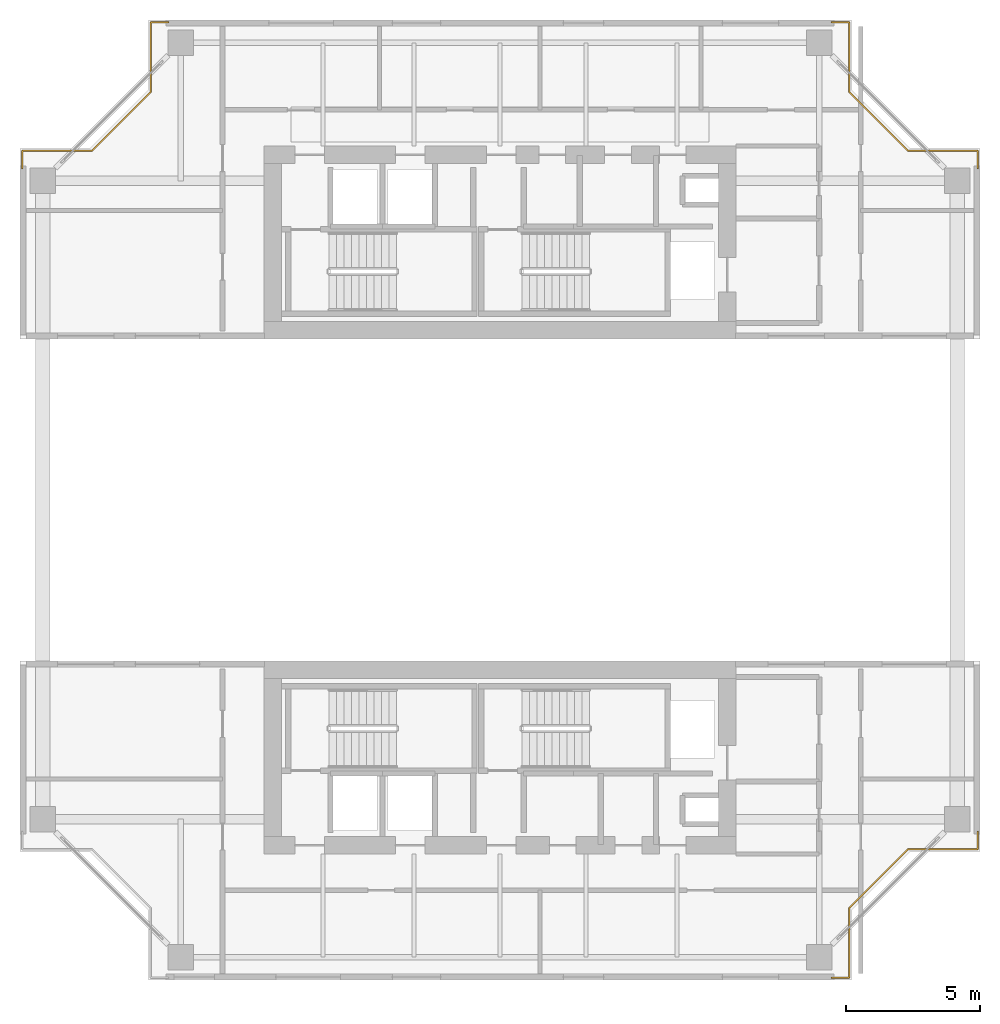
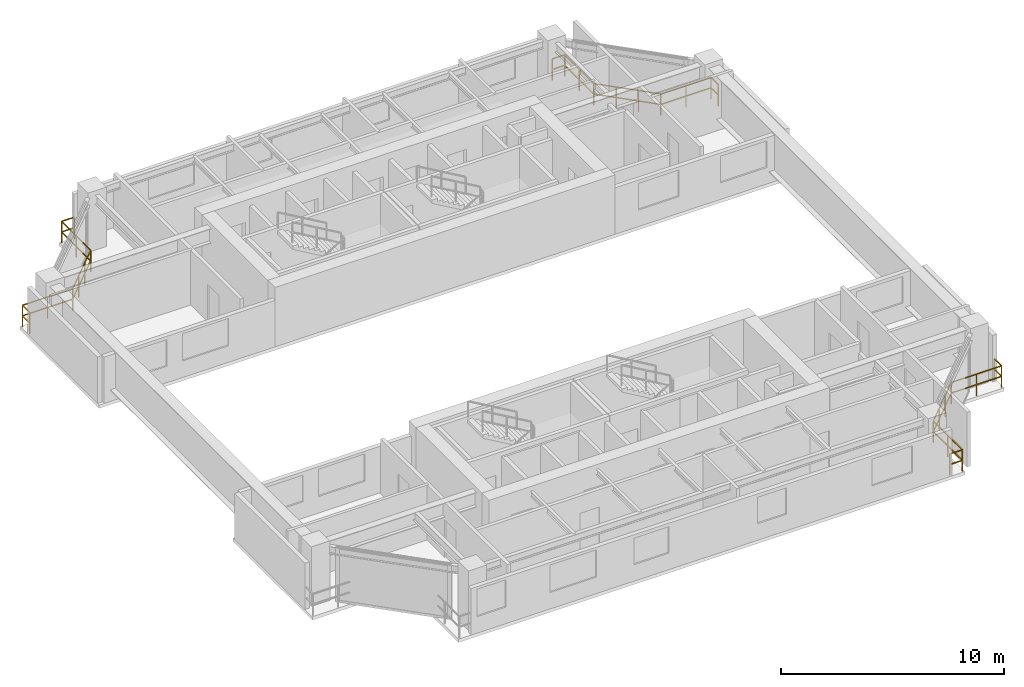
# One storey, part 12 of 12: 3 railings.
"""IFC4 building model written with IfcOpenShell, lengths in metres."""

from ifc_helpers import new_model, si_unit, direction, frame, origin, origin_2d, place, context, subcontext, project, spatial, rectangle, extrude, material, type_object, element, save


model = new_model("IFC4")

# Units and contexts
model_context = context("Model", 3, precision=1e-05, world=origin(), true_north=direction((0.0, 1.0)))
body_context = subcontext(model_context, "Body", "Model", "MODEL_VIEW")
ifc_project = project(units=[si_unit("LENGTHUNIT", "METRE"), si_unit("AREAUNIT", "SQUARE_METRE"), si_unit("VOLUMEUNIT", "CUBIC_METRE"), si_unit("PLANEANGLEUNIT", "RADIAN"), si_unit("MASSUNIT", "GRAM", prefix="KILO"), si_unit("THERMODYNAMICTEMPERATUREUNIT", "KELVIN"), si_unit("POWERUNIT", "WATT")], contexts=[model_context])

# Site, building, storey
site_placement = place(None, origin())
site = spatial("IfcSite", under=ifc_project, at=site_placement, CompositionType="ELEMENT")
building_placement = place(site_placement, origin())
building = spatial("IfcBuilding", under=site, at=building_placement, Name="Qiaomeng Ring Towers", CompositionType="ELEMENT")
storey_placement = place(building_placement, frame((0.0, 0.0, 169.75)))
storey = spatial("IfcBuildingStorey", under=building, at=storey_placement, Name="L49", CompositionType="ELEMENT", Elevation=169.75)

# Railings
ifc_material = material(Name="Low-E pale-green laminated safety glass", Category="glass")
railing_type = type_object("IfcRailingType", Name="ARC-RL-BAL1", PredefinedType="BALUSTRADE", material=ifc_material)
railing_1_placement = place(storey_placement, frame((31.3701171875, 5.179931640625, 0.0)))
element("IfcRailing", 1, at=railing_1_placement, inside=storey, type_object=railing_type, Name="L49 Balustrade ARC-BAL-NOTCH1-L49-SE", PredefinedType="BALUSTRADE", context=body_context, shape_type="SweptSolid", body=[
    extrude(rectangle(XDim=0.048095703125, YDim=0.048095703125, at=origin_2d()), frame((0.0, 0.0, 1.17578125), z_axis=(1.0, 0.0, 0.0), x_axis=(0.0, 1.0, 0.0)), (0.0, 0.0, 1.0), 0.64990234375),
    extrude(rectangle(XDim=0.048095703125, YDim=0.048095703125, at=origin_2d()), frame((0.0, 0.0, 0.60009765625), z_axis=(1.0, 0.0, 0.0), x_axis=(0.0, 1.0, 0.0)), (0.0, 0.0, 1.0), 0.64990234375),
    extrude(rectangle(XDim=0.048095703125, YDim=0.048095703125, at=origin_2d()), frame((0.64990234375, 0.0, 1.17578125), z_axis=(0.0, 1.0, 0.0), x_axis=(-1.0, 0.0, 0.0)), (0.0, 0.0, 1.0), 2.60009765625),
    extrude(rectangle(XDim=0.048095703125, YDim=0.048095703125, at=origin_2d()), frame((0.64990234375, 0.0, 0.60009765625), z_axis=(0.0, 1.0, 0.0), x_axis=(-1.0, 0.0, 0.0)), (0.0, 0.0, 1.0), 2.60009765625),
    extrude(rectangle(XDim=0.048095703125, YDim=0.048095703125, at=origin_2d()), frame((0.64990234375, 2.60009765625, 1.17578125), z_axis=(0.707106781187, 0.707106781187, 0.0), x_axis=(-0.707106781187, 0.707106781187, 0.0)), (0.0, 0.0, 1.0), 3.111083984375),
    extrude(rectangle(XDim=0.048095703125, YDim=0.048095703125, at=origin_2d()), frame((0.64990234375, 2.60009765625, 0.60009765625), z_axis=(0.707106781187, 0.707106781187, 0.0), x_axis=(-0.707106781187, 0.707106781187, 0.0)), (0.0, 0.0, 1.0), 3.111083984375),
    extrude(rectangle(XDim=0.048095703125, YDim=0.048095703125, at=origin_2d()), frame((2.849853515625, 4.800048828125, 1.17578125), z_axis=(1.0, 0.0, 0.0), x_axis=(0.0, 1.0, 0.0)), (0.0, 0.0, 1.0), 2.60009765625),
    extrude(rectangle(XDim=0.048095703125, YDim=0.048095703125, at=origin_2d()), frame((2.849853515625, 4.800048828125, 0.60009765625), z_axis=(1.0, 0.0, 0.0), x_axis=(0.0, 1.0, 0.0)), (0.0, 0.0, 1.0), 2.60009765625),
    extrude(rectangle(XDim=0.048095703125, YDim=0.048095703125, at=origin_2d()), frame((5.449951171875, 4.800048828125, 1.17578125), z_axis=(0.0, 1.0, 0.0), x_axis=(-1.0, 0.0, 0.0)), (0.0, 0.0, 1.0), 0.64990234375),
    extrude(rectangle(XDim=0.048095703125, YDim=0.048095703125, at=origin_2d()), frame((5.449951171875, 4.800048828125, 0.60009765625), z_axis=(0.0, 1.0, 0.0), x_axis=(-1.0, 0.0, 0.0)), (0.0, 0.0, 1.0), 0.64990234375),
    extrude(rectangle(XDim=0.0419921875, YDim=0.0419921875, at=origin_2d()), origin(), (0.0, 0.0, 1.0), 1.15185546875),
    extrude(rectangle(XDim=0.0419921875, YDim=0.0419921875, at=origin_2d()), frame((0.64990234375, 0.0, 0.0)), (0.0, 0.0, 1.0), 1.15185546875),
    extrude(rectangle(XDim=0.0419921875, YDim=0.0419921875, at=origin_2d()), frame((0.64990234375, 1.300048828125, 0.0)), (0.0, 0.0, 1.0), 1.15185546875),
    extrude(rectangle(XDim=0.0419921875, YDim=0.0419921875, at=origin_2d()), frame((0.64990234375, 2.60009765625, 0.0)), (0.0, 0.0, 1.0), 1.15185546875),
    extrude(rectangle(XDim=0.0419921875, YDim=0.0419921875, at=origin_2d()), frame((1.38330078125, 3.33349609375, 0.0)), (0.0, 0.0, 1.0), 1.15185546875),
    extrude(rectangle(XDim=0.0419921875, YDim=0.0419921875, at=origin_2d()), frame((2.116455078125, 4.066650390625, 0.0)), (0.0, 0.0, 1.0), 1.15185546875),
    extrude(rectangle(XDim=0.0419921875, YDim=0.0419921875, at=origin_2d()), frame((2.849853515625, 4.800048828125, 0.0)), (0.0, 0.0, 1.0), 1.15185546875),
    extrude(rectangle(XDim=0.0419921875, YDim=0.0419921875, at=origin_2d()), frame((4.14990234375, 4.800048828125, 0.0)), (0.0, 0.0, 1.0), 1.15185546875),
    extrude(rectangle(XDim=0.0419921875, YDim=0.0419921875, at=origin_2d()), frame((5.449951171875, 4.800048828125, 0.0)), (0.0, 0.0, 1.0), 1.15185546875),
    extrude(rectangle(XDim=0.0419921875, YDim=0.0419921875, at=origin_2d()), frame((5.449951171875, 5.449951171875, 0.0)), (0.0, 0.0, 1.0), 1.15185546875),
])
railing_2_placement = place(storey_placement, frame((36.820068359375, 35.3701171875, 0.0)))
element("IfcRailing", 2, at=railing_2_placement, inside=storey, type_object=railing_type, Name="L49 Balustrade ARC-BAL-NOTCH1-L49-NE", PredefinedType="BALUSTRADE", context=body_context, shape_type="SweptSolid", body=[
    extrude(rectangle(XDim=0.048095703125, YDim=0.048095703125, at=origin_2d()), frame((0.0, 0.0, 1.17578125), z_axis=(0.0, 1.0, 0.0), x_axis=(-1.0, 0.0, 0.0)), (0.0, 0.0, 1.0), 0.64990234375),
    extrude(rectangle(XDim=0.048095703125, YDim=0.048095703125, at=origin_2d()), frame((0.0, 0.0, 0.60009765625), z_axis=(0.0, 1.0, 0.0), x_axis=(-1.0, 0.0, 0.0)), (0.0, 0.0, 1.0), 0.64990234375),
    extrude(rectangle(XDim=0.048095703125, YDim=0.048095703125, at=origin_2d()), frame((0.0, 0.64990234375, 1.17578125), z_axis=(-1.0, 0.0, 0.0), x_axis=(0.0, -1.0, 0.0)), (0.0, 0.0, 1.0), 2.60009765625),
    extrude(rectangle(XDim=0.048095703125, YDim=0.048095703125, at=origin_2d()), frame((0.0, 0.64990234375, 0.60009765625), z_axis=(-1.0, 0.0, 0.0), x_axis=(0.0, -1.0, 0.0)), (0.0, 0.0, 1.0), 2.60009765625),
    extrude(rectangle(XDim=0.048095703125, YDim=0.048095703125, at=origin_2d()), frame((-2.60009765625, 0.64990234375, 1.17578125), z_axis=(-0.707106781187, 0.707106781187, 0.0), x_axis=(-0.707106781187, -0.707106781187, 0.0)), (0.0, 0.0, 1.0), 3.111083984375),
    extrude(rectangle(XDim=0.048095703125, YDim=0.048095703125, at=origin_2d()), frame((-2.60009765625, 0.64990234375, 0.60009765625), z_axis=(-0.707106781187, 0.707106781187, 0.0), x_axis=(-0.707106781187, -0.707106781187, 0.0)), (0.0, 0.0, 1.0), 3.111083984375),
    extrude(rectangle(XDim=0.048095703125, YDim=0.048095703125, at=origin_2d()), frame((-4.800048828125, 2.849853515625, 1.17578125), z_axis=(0.0, 1.0, 0.0), x_axis=(-1.0, 0.0, 0.0)), (0.0, 0.0, 1.0), 2.60009765625),
    extrude(rectangle(XDim=0.048095703125, YDim=0.048095703125, at=origin_2d()), frame((-4.800048828125, 2.849853515625, 0.60009765625), z_axis=(0.0, 1.0, 0.0), x_axis=(-1.0, 0.0, 0.0)), (0.0, 0.0, 1.0), 2.60009765625),
    extrude(rectangle(XDim=0.048095703125, YDim=0.048095703125, at=origin_2d()), frame((-4.800048828125, 5.449951171875, 1.17578125), z_axis=(-1.0, 0.0, 0.0), x_axis=(0.0, -1.0, 0.0)), (0.0, 0.0, 1.0), 0.64990234375),
    extrude(rectangle(XDim=0.048095703125, YDim=0.048095703125, at=origin_2d()), frame((-4.800048828125, 5.449951171875, 0.60009765625), z_axis=(-1.0, 0.0, 0.0), x_axis=(0.0, -1.0, 0.0)), (0.0, 0.0, 1.0), 0.64990234375),
    extrude(rectangle(XDim=0.0419921875, YDim=0.0419921875, at=origin_2d()), origin(), (0.0, 0.0, 1.0), 1.15185546875),
    extrude(rectangle(XDim=0.0419921875, YDim=0.0419921875, at=origin_2d()), frame((0.0, 0.64990234375, 0.0)), (0.0, 0.0, 1.0), 1.15185546875),
    extrude(rectangle(XDim=0.0419921875, YDim=0.0419921875, at=origin_2d()), frame((-1.300048828125, 0.64990234375, 0.0)), (0.0, 0.0, 1.0), 1.15185546875),
    extrude(rectangle(XDim=0.0419921875, YDim=0.0419921875, at=origin_2d()), frame((-2.60009765625, 0.64990234375, 0.0)), (0.0, 0.0, 1.0), 1.15185546875),
    extrude(rectangle(XDim=0.0419921875, YDim=0.0419921875, at=origin_2d()), frame((-3.33349609375, 1.38330078125, 0.0)), (0.0, 0.0, 1.0), 1.15185546875),
    extrude(rectangle(XDim=0.0419921875, YDim=0.0419921875, at=origin_2d()), frame((-4.066650390625, 2.116455078125, 0.0)), (0.0, 0.0, 1.0), 1.15185546875),
    extrude(rectangle(XDim=0.0419921875, YDim=0.0419921875, at=origin_2d()), frame((-4.800048828125, 2.849853515625, 0.0)), (0.0, 0.0, 1.0), 1.15185546875),
    extrude(rectangle(XDim=0.0419921875, YDim=0.0419921875, at=origin_2d()), frame((-4.800048828125, 4.14990234375, 0.0)), (0.0, 0.0, 1.0), 1.15185546875),
    extrude(rectangle(XDim=0.0419921875, YDim=0.0419921875, at=origin_2d()), frame((-4.800048828125, 5.449951171875, 0.0)), (0.0, 0.0, 1.0), 1.15185546875),
    extrude(rectangle(XDim=0.0419921875, YDim=0.0419921875, at=origin_2d()), frame((-5.449951171875, 5.449951171875, 0.0)), (0.0, 0.0, 1.0), 1.15185546875),
])
railing_3_placement = place(storey_placement, frame((6.6298828125, 40.820068359375, 0.0)))
element("IfcRailing", 3, at=railing_3_placement, inside=storey, type_object=railing_type, Name="L49 Balustrade ARC-BAL-NOTCH1-L49-NW", PredefinedType="BALUSTRADE", context=body_context, shape_type="SweptSolid", body=[
    extrude(rectangle(XDim=0.048095703125, YDim=0.048095703125, at=origin_2d()), frame((0.0, 0.0, 1.17578125), z_axis=(-1.0, 0.0, 0.0), x_axis=(0.0, -1.0, 0.0)), (0.0, 0.0, 1.0), 0.64990234375),
    extrude(rectangle(XDim=0.048095703125, YDim=0.048095703125, at=origin_2d()), frame((0.0, 0.0, 0.60009765625), z_axis=(-1.0, 0.0, 0.0), x_axis=(0.0, -1.0, 0.0)), (0.0, 0.0, 1.0), 0.64990234375),
    extrude(rectangle(XDim=0.048095703125, YDim=0.048095703125, at=origin_2d()), frame((-0.64990234375, 0.0, 1.17578125), z_axis=(0.0, -1.0, 0.0), x_axis=(1.0, 0.0, 0.0)), (0.0, 0.0, 1.0), 2.60009765625),
    extrude(rectangle(XDim=0.048095703125, YDim=0.048095703125, at=origin_2d()), frame((-0.64990234375, 0.0, 0.60009765625), z_axis=(0.0, -1.0, 0.0), x_axis=(1.0, 0.0, 0.0)), (0.0, 0.0, 1.0), 2.60009765625),
    extrude(rectangle(XDim=0.048095703125, YDim=0.048095703125, at=origin_2d()), frame((-0.64990234375, -2.60009765625, 1.17578125), z_axis=(-0.707106781187, -0.707106781187, 0.0), x_axis=(0.707106781187, -0.707106781187, 0.0)), (0.0, 0.0, 1.0), 3.111083984375),
    extrude(rectangle(XDim=0.048095703125, YDim=0.048095703125, at=origin_2d()), frame((-0.64990234375, -2.60009765625, 0.60009765625), z_axis=(-0.707106781187, -0.707106781187, 0.0), x_axis=(0.707106781187, -0.707106781187, 0.0)), (0.0, 0.0, 1.0), 3.111083984375),
    extrude(rectangle(XDim=0.048095703125, YDim=0.048095703125, at=origin_2d()), frame((-2.849853515625, -4.800048828125, 1.17578125), z_axis=(-1.0, 0.0, 0.0), x_axis=(0.0, -1.0, 0.0)), (0.0, 0.0, 1.0), 2.60009765625),
    extrude(rectangle(XDim=0.048095703125, YDim=0.048095703125, at=origin_2d()), frame((-2.849853515625, -4.800048828125, 0.60009765625), z_axis=(-1.0, 0.0, 0.0), x_axis=(0.0, -1.0, 0.0)), (0.0, 0.0, 1.0), 2.60009765625),
    extrude(rectangle(XDim=0.048095703125, YDim=0.048095703125, at=origin_2d()), frame((-5.449951171875, -4.800048828125, 1.17578125), z_axis=(0.0, -1.0, 0.0), x_axis=(1.0, 0.0, 0.0)), (0.0, 0.0, 1.0), 0.64990234375),
    extrude(rectangle(XDim=0.048095703125, YDim=0.048095703125, at=origin_2d()), frame((-5.449951171875, -4.800048828125, 0.60009765625), z_axis=(0.0, -1.0, 0.0), x_axis=(1.0, 0.0, 0.0)), (0.0, 0.0, 1.0), 0.64990234375),
    extrude(rectangle(XDim=0.0419921875, YDim=0.0419921875, at=origin_2d()), origin(), (0.0, 0.0, 1.0), 1.15185546875),
    extrude(rectangle(XDim=0.0419921875, YDim=0.0419921875, at=origin_2d()), frame((-0.64990234375, 0.0, 0.0)), (0.0, 0.0, 1.0), 1.15185546875),
    extrude(rectangle(XDim=0.0419921875, YDim=0.0419921875, at=origin_2d()), frame((-0.64990234375, -1.300048828125, 0.0)), (0.0, 0.0, 1.0), 1.15185546875),
    extrude(rectangle(XDim=0.0419921875, YDim=0.0419921875, at=origin_2d()), frame((-0.64990234375, -2.60009765625, 0.0)), (0.0, 0.0, 1.0), 1.15185546875),
    extrude(rectangle(XDim=0.0419921875, YDim=0.0419921875, at=origin_2d()), frame((-1.38330078125, -3.33349609375, 0.0)), (0.0, 0.0, 1.0), 1.15185546875),
    extrude(rectangle(XDim=0.0419921875, YDim=0.0419921875, at=origin_2d()), frame((-2.116455078125, -4.066650390625, 0.0)), (0.0, 0.0, 1.0), 1.15185546875),
    extrude(rectangle(XDim=0.0419921875, YDim=0.0419921875, at=origin_2d()), frame((-2.849853515625, -4.800048828125, 0.0)), (0.0, 0.0, 1.0), 1.15185546875),
    extrude(rectangle(XDim=0.0419921875, YDim=0.0419921875, at=origin_2d()), frame((-4.14990234375, -4.800048828125, 0.0)), (0.0, 0.0, 1.0), 1.15185546875),
    extrude(rectangle(XDim=0.0419921875, YDim=0.0419921875, at=origin_2d()), frame((-5.449951171875, -4.800048828125, 0.0)), (0.0, 0.0, 1.0), 1.15185546875),
    extrude(rectangle(XDim=0.0419921875, YDim=0.0419921875, at=origin_2d()), frame((-5.449951171875, -5.449951171875, 0.0)), (0.0, 0.0, 1.0), 1.15185546875),
])

save(model, "model.ifc")
